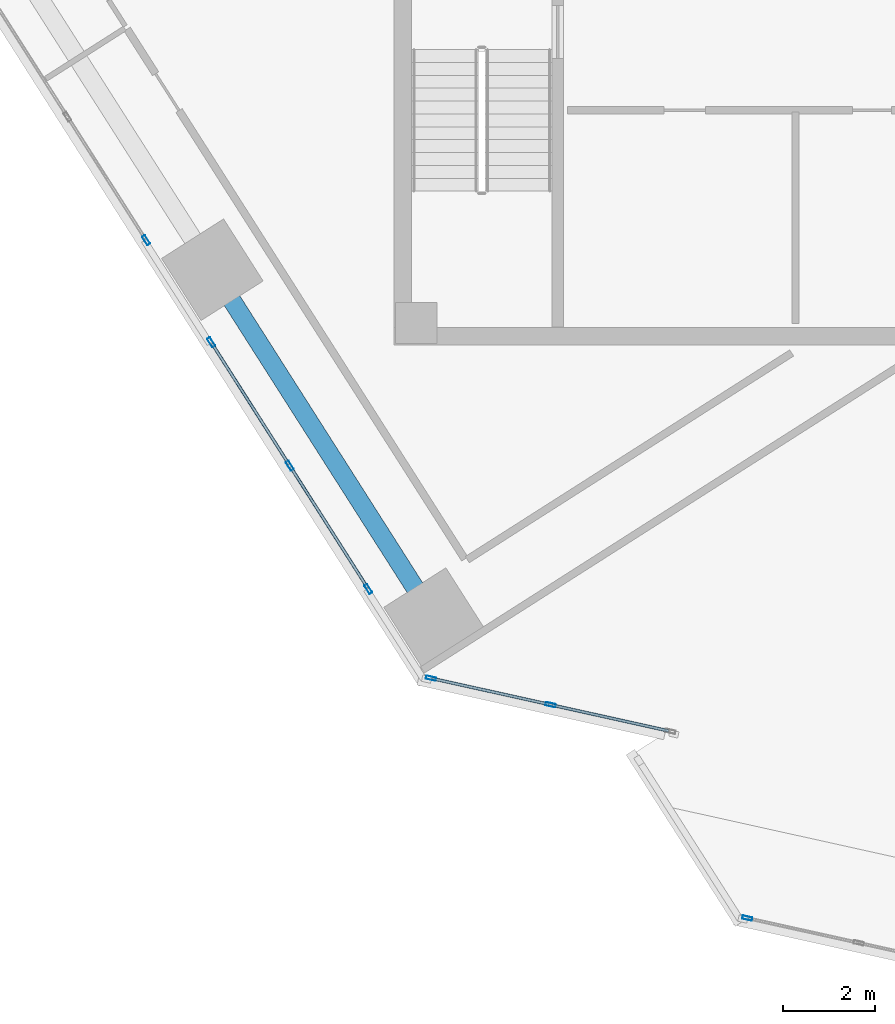
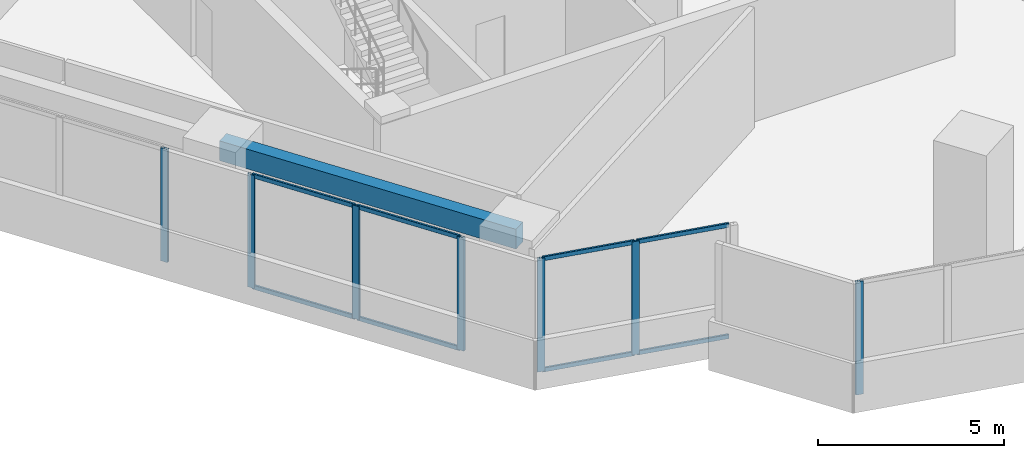
# One storey, part 2 of 14: 15 members, 1 beam, 4 elements without a shape of their own.
"""IFC4 building model written with IfcOpenShell, lengths in metres."""

import ifcopenshell
import ifcopenshell.guid

model = None  # the IFC model being written
_history = None  # IfcOwnerHistory: only IFC2X3 demands one
_inside = {}  # id of a spatial element -> (the spatial element, [elements in it])
_under = {}  # id of a project, library or spatial element -> (it, [spatial elements below it])
_declared = {}  # id of a project -> (the project, [libraries it declares])
_typed = {}  # id of a type object -> (the type object, [elements of that type])
_made_of = {}  # id of a material, layer set ... -> (it, [elements and type objects made of it])


def new_model(schema):
    """Start an empty IFC model of exactly this schema.

    Asked for "IFC4X3", IfcOpenShell would pick the latest addendum, in which some entities
    have other attributes; the version numbers below select the first issue.
    IFC2X3 requires an IfcOwnerHistory on every rooted entity: one is made here for all.
    """
    global model, _history
    if schema == "IFC4X3":
        model = ifcopenshell.file(schema_version=(4, 3, 0, 0))
    else:
        model = ifcopenshell.file(schema=schema)
    _inside.clear()
    _under.clear()
    _declared.clear()
    _typed.clear()
    _made_of.clear()
    _history = None
    if model.schema == "IFC2X3":
        org = make("IfcOrganization", Name="unknown")
        user = make(
            "IfcPersonAndOrganization",
            ThePerson=make("IfcPerson", FamilyName="unknown"),
            TheOrganization=org,
        )
        app = make(
            "IfcApplication",
            ApplicationDeveloper=org,
            Version="unknown",
            ApplicationFullName="unknown",
            ApplicationIdentifier="unknown",
        )
        _history = make(
            "IfcOwnerHistory",
            OwningUser=user,
            OwningApplication=app,
            ChangeAction="ADDED",
            CreationDate=0,
        )
    return model


def make(cls, **values):
    """One entity of the class cls with the attributes given. An attribute that is None is left unset."""
    return model.create_entity(
        cls, **{name: value for name, value in values.items() if value is not None}
    )


def rooted(cls, **values):
    """An entity with a GlobalId (a new one), such as an element, a storey or a relation."""
    return make(cls, GlobalId=ifcopenshell.guid.new(), OwnerHistory=_history, **values)


def si_unit(unit_type, name, prefix=None):
    """IfcSIUnit, for example si_unit("LENGTHUNIT", "METRE", prefix="MILLI")."""
    return make("IfcSIUnit", UnitType=unit_type, Prefix=prefix, Name=name)


def assignment(units):
    """IfcUnitAssignment: the units of a project."""
    return None if units is None else make("IfcUnitAssignment", Units=units)


def point(xyz):
    """IfcCartesianPoint."""
    return None if xyz is None else make("IfcCartesianPoint", Coordinates=xyz)


def direction(xyz):
    """IfcDirection."""
    return None if xyz is None else make("IfcDirection", DirectionRatios=xyz)


def frame(location, z_axis=None, x_axis=None):
    """IfcAxis2Placement3D, a coordinate frame: its origin and axes. An axis left out is left unset."""
    return make(
        "IfcAxis2Placement3D",
        Location=point(location),
        Axis=direction(z_axis),
        RefDirection=direction(x_axis),
    )


def frame_2d(location, x_axis=None):
    """IfcAxis2Placement2D, a coordinate frame in the plane: its origin and x axis."""
    return make(
        "IfcAxis2Placement2D", Location=point(location), RefDirection=direction(x_axis)
    )


def origin():
    """The frame at (0, 0, 0) with its axes left unset."""
    return frame((0.0, 0.0, 0.0))


def origin_2d():
    """The frame at (0, 0) in the plane with its x axis left unset."""
    return frame_2d((0.0, 0.0))


def place(relative_to, where):
    """IfcLocalPlacement: puts the frame where relative to a parent placement (None: the world)."""
    return make(
        "IfcLocalPlacement", PlacementRelTo=relative_to, RelativePlacement=where
    )


def context(
    kind, dimensions, precision=None, world=None, true_north=None, identifier=None
):
    """IfcGeometricRepresentationContext, for example the 3D "Model" context."""
    return make(
        "IfcGeometricRepresentationContext",
        ContextIdentifier=identifier,
        ContextType=kind,
        CoordinateSpaceDimension=dimensions,
        Precision=precision,
        WorldCoordinateSystem=world,
        TrueNorth=true_north,
    )


def subcontext(parent, identifier, kind, view, scale=None):
    """IfcGeometricRepresentationSubContext, for example "Body" below "Model"."""
    return make(
        "IfcGeometricRepresentationSubContext",
        ContextIdentifier=identifier,
        ContextType=kind,
        ParentContext=parent,
        TargetScale=scale,
        TargetView=view,
    )


def project(units=None, contexts=None):
    """IfcProject with its units and contexts."""
    return rooted(
        "IfcProject",
        Name="project",
        RepresentationContexts=contexts,
        UnitsInContext=assignment(units),
    )


def spatial(cls, under=None, at=None, **own):
    """A site, building, storey or space (cls), placed at a placement, below another one or the project."""
    s = rooted(cls, ObjectPlacement=at, **own)
    if under is not None:
        _under.setdefault(under.id(), (under, []))[1].append(s)
    return s


def profile(cls, at=None, kind="AREA", **sizes):
    """A parametric profile (cls). Its sizes go by their IFC names, for example OverallWidth=200.0."""
    return make(cls, ProfileType=kind, Position=at, **sizes)


def rectangle(**sizes):
    """IfcRectangleProfileDef."""
    return profile("IfcRectangleProfileDef", **sizes)


def hollow_rectangle(**sizes):
    """IfcRectangleHollowProfileDef."""
    return profile("IfcRectangleHollowProfileDef", **sizes)


def extrude(swept, where, along, depth):
    """IfcExtrudedAreaSolid: the profile swept, set in the frame where, extruded along a direction by depth."""
    return make(
        "IfcExtrudedAreaSolid",
        SweptArea=swept,
        Position=where,
        ExtrudedDirection=direction(along),
        Depth=depth,
    )


def shape(context_of_items, identifier, shape_type, items):
    """IfcShapeRepresentation: the items that make up one representation, for example the "Body"."""
    return make(
        "IfcShapeRepresentation",
        ContextOfItems=context_of_items,
        RepresentationIdentifier=identifier,
        RepresentationType=shape_type,
        Items=items,
    )


def source(mapping_origin, context_of_items, identifier, shape_type, items):
    """IfcRepresentationMap: a shape defined once, which mapped items show again and again."""
    return make(
        "IfcRepresentationMap",
        MappingOrigin=mapping_origin,
        MappedRepresentation=shape(context_of_items, identifier, shape_type, items),
    )


def transform(
    local_origin,
    x_axis=None,
    y_axis=None,
    z_axis=None,
    scale=None,
    scale2=None,
    scale3=None,
    uniform=True,
):
    """IfcCartesianTransformationOperator3D, or its non-uniform kind. x_axis, y_axis, z_axis: its Axis1, 2, 3."""
    if uniform:
        return make(
            "IfcCartesianTransformationOperator3D",
            Axis1=direction(x_axis),
            Axis2=direction(y_axis),
            LocalOrigin=point(local_origin),
            Scale=scale,
            Axis3=direction(z_axis),
        )
    return make(
        "IfcCartesianTransformationOperator3DnonUniform",
        Axis1=direction(x_axis),
        Axis2=direction(y_axis),
        LocalOrigin=point(local_origin),
        Scale=scale,
        Axis3=direction(z_axis),
        Scale2=scale2,
        Scale3=scale3,
    )


def mapped(mapping_source, mapping_target):
    """IfcMappedItem: shows the shape of a source again, moved by a transform."""
    return make(
        "IfcMappedItem", MappingSource=mapping_source, MappingTarget=mapping_target
    )


def material(Name=None, Category=None):
    """IfcMaterial."""
    return make("IfcMaterial", Name=Name, Category=Category)


def material_profile(
    of_material, cross_section, Name=None, Category=None, Priority=None
):
    """IfcMaterialProfile: a cross section and its material."""
    return make(
        "IfcMaterialProfile",
        Name=Name,
        Material=of_material,
        Profile=cross_section,
        Priority=Priority,
        Category=Category,
    )


def profile_set(profiles, Name=None, composite=None):
    """IfcMaterialProfileSet."""
    return make(
        "IfcMaterialProfileSet",
        Name=Name,
        MaterialProfiles=profiles,
        CompositeProfile=composite,
    )


def made_of(thing, what):
    """Note that an element or type object is made of a material, layer set ...; save() writes the relation."""
    if what is not None:
        _made_of.setdefault(what.id(), (what, []))[1].append(thing)
    return thing


def type_object(cls, material=None, **own):
    """A type object (cls), such as IfcWallType, which elements share."""
    return made_of(rooted(cls, **own), material)


def element(
    cls,
    number,
    at=None,
    inside=None,
    cuts=None,
    type_object=None,
    material=None,
    context=None,
    identifier="Body",
    shape_type=None,
    held_by="IfcProductDefinitionShape",
    body=None,
    shapes=None,
    **own,
):
    """One element of the class cls, such as IfcWall. Its Tag is "e" and its number.

    at: its placement. inside: the storey or other place that contains it. cuts: it is an
    opening in that element (IfcRelVoidsElement). A single representation is given by context,
    identifier, shape_type and body (its items); several are given by shapes. held_by: the class
    of the entity that holds the representations. save() writes the other relations.
    """
    e = rooted(cls, Tag="e%d" % number, ObjectPlacement=at, **own)
    if body is not None:
        shapes = [shape(context, identifier, shape_type, body)]
    if shapes is not None:
        e.Representation = make(held_by, Representations=shapes)
    if inside is not None:
        _inside.setdefault(inside.id(), (inside, []))[1].append(e)
    if cuts is not None:
        rooted(
            "IfcRelVoidsElement", RelatingBuildingElement=cuts, RelatedOpeningElement=e
        )
    if type_object is not None:
        _typed.setdefault(type_object.id(), (type_object, []))[1].append(e)
    return made_of(e, material)


def aggregate(whole, parts):
    """IfcRelAggregates: a whole, such as a stair, and the parts it consists of."""
    return rooted("IfcRelAggregates", RelatingObject=whole, RelatedObjects=parts)


def save(model, path):
    """Write the relations noted so far, then the file.

    IfcRelAggregates (storeys below a building ...), IfcRelContainedInSpatialStructure (elements
    in a storey), IfcRelDefinesByType, IfcRelAssociatesMaterial and IfcRelDeclares: one each for
    every whole, place, type object, material and project.
    """
    for whole, parts in _under.values():
        aggregate(whole, parts)
    for where, things in _inside.values():
        rooted(
            "IfcRelContainedInSpatialStructure",
            RelatedElements=things,
            RelatingStructure=where,
        )
    for kind, things in _typed.values():
        rooted("IfcRelDefinesByType", RelatedObjects=things, RelatingType=kind)
    for what, things in _made_of.values():
        rooted("IfcRelAssociatesMaterial", RelatedObjects=things, RelatingMaterial=what)
    for by, libraries in _declared.values():
        rooted("IfcRelDeclares", RelatingContext=by, RelatedDefinitions=libraries)
    model.write(path)


model = new_model("IFC4")

# Units and contexts
model_context = context("Model", 3, precision=1e-05, world=origin(), true_north=direction((0.0, 1.0)))
body_context = subcontext(model_context, "Body", "Model", "MODEL_VIEW")
ifc_project = project(units=[si_unit("LENGTHUNIT", "METRE"), si_unit("AREAUNIT", "SQUARE_METRE"), si_unit("VOLUMEUNIT", "CUBIC_METRE"), si_unit("PLANEANGLEUNIT", "RADIAN"), si_unit("MASSUNIT", "GRAM", prefix="KILO")], contexts=[model_context])

# Site, building, storey
site_placement = place(None, origin())
site = spatial("IfcSite", under=ifc_project, at=site_placement, CompositionType="ELEMENT")
building_placement = place(site_placement, origin())
building = spatial("IfcBuilding", under=site, at=building_placement, Name="Torre Montelarca", CompositionType="ELEMENT")
storey_placement = place(building_placement, frame((0.0, 0.0, 315.60009765625)))
storey = spatial("IfcBuildingStorey", under=building, at=storey_placement, Name="L71", CompositionType="ELEMENT", Elevation=315.60009765625)

# Beam
ifc_material_1 = material(Name="Concrete C40/50", Category="concrete")
ifc_material_profile_1 = material_profile(ifc_material_1, rectangle(XDim=0.39990234375, YDim=0.64990234375, at=origin_2d()), Name="RCB400X650", Category="concrete")
ifc_profile_set_1 = profile_set([ifc_material_profile_1], Name="Concrete C40/50")
beam_type = type_object("IfcBeamType", Name="BM-SP-RC650-EXT", PredefinedType="SPANDREL", material=ifc_profile_set_1)
shared_shape_1 = source(origin(), body_context, "Body", "SweptSolid", [
    extrude(rectangle(XDim=0.39990234375, YDim=0.64990234375, at=origin_2d()), origin(), (0.0, 0.0, 1.0), 8.999755859375),
])
beam_placement = place(storey_placement, frame((5.113037109375, 25.710205078125, 3.635009765625), z_axis=(0.537308978211, -0.843385476478, 0.0), x_axis=(0.843385476478, 0.537308978211, 0.0)))
element("IfcBeam", 1, at=beam_placement, inside=storey, type_object=beam_type, Name="L71 Grid Girder X 18.0-27.0 at Y=14.8", PredefinedType="SPANDREL", context=body_context, shape_type="MappedRepresentation", body=[
    mapped(shared_shape_1, transform((0.0, 0.0, 0.0), scale=1.0)),
])

# Curtain wall, member
ifc_material_2 = material(Name="Insulated low-E laminated glass", Category="glass")
curtain_wall_type = type_object("IfcCurtainWallType", Name="CW-SYS-Z4", PredefinedType="USERDEFINED", material=ifc_material_2)
curtain_wall_1_placement = place(storey_placement, origin())
curtain_wall_1 = element("IfcCurtainWall", 2, at=curtain_wall_1_placement, inside=storey, type_object=curtain_wall_type, Name="L71 Curtain Wall Run CW-T3-L71-E01-B1", ObjectType="UNITISED GLAZING", PredefinedType="USERDEFINED")
ifc_material_3 = material(Name="Anodised aluminium AA 6063-T6", Category="aluminium")
ifc_material_profile_2 = material_profile(ifc_material_3, hollow_rectangle(XDim=0.074951171875, YDim=0.219970703125, WallThickness=0.0048828125, InnerFilletRadius=0.0048828125, OuterFilletRadius=0.010009765625, at=origin_2d()), Name="ALU75X220X5", Category="aluminium")
ifc_profile_set_2 = profile_set([ifc_material_profile_2], Name="Anodised aluminium AA 6063-T6")
member_type_1 = type_object("IfcMemberType", Name="CWM-ALU220", PredefinedType="MULLION", material=ifc_profile_set_2)
shared_shape_2 = source(origin(), body_context, "Body", "SweptSolid", [
    extrude(hollow_rectangle(XDim=0.074951171875, YDim=0.219970703125, WallThickness=0.0048828125, InnerFilletRadius=0.0048828125, OuterFilletRadius=0.010009765625, at=origin_2d()), origin(), (0.0, 0.0, 1.0), 3.719970703125),
])
member_1_placement = place(storey_placement, frame((3.67138671875, 26.35400390625, 0.0), z_axis=(0.0, 0.0, 1.0), x_axis=(0.843390278763, 0.537301440244, 0.0)))
member_1 = element("IfcMember", 3, at=member_1_placement, type_object=member_type_1, Name="CW mullion 3", PredefinedType="MULLION", context=body_context, shape_type="MappedRepresentation", body=[
    mapped(shared_shape_2, transform((0.0, 0.0, 0.0), scale=1.0)),
])
aggregate(curtain_wall_1, [member_1])

# Curtain wall, members
curtain_wall_2_placement = place(storey_placement, origin())
curtain_wall_2 = element("IfcCurtainWall", 4, at=curtain_wall_2_placement, inside=storey, type_object=curtain_wall_type, Name="L71 Curtain Wall Run CW-T3-L71-E01-B2", ObjectType="UNITISED GLAZING", PredefinedType="USERDEFINED")
member_2_placement = place(storey_placement, frame((5.087158203125, 24.131591796875, 0.0), z_axis=(0.0, 0.0, 1.0), x_axis=(0.843390278763, 0.537301440244, 0.0)))
member_2 = element("IfcMember", 5, at=member_2_placement, type_object=member_type_1, Name="CW mullion 1", PredefinedType="MULLION", context=body_context, shape_type="MappedRepresentation", body=[
    mapped(shared_shape_2, transform((0.0, 0.0, 0.0), scale=1.0)),
])
member_3_placement = place(storey_placement, frame((6.797119140625, 21.447509765625, 0.0), z_axis=(0.0, 0.0, 1.0), x_axis=(0.843390278763, 0.537301440244, 0.0)))
member_3 = element("IfcMember", 6, at=member_3_placement, type_object=member_type_1, Name="CW mullion 2", PredefinedType="MULLION", context=body_context, shape_type="MappedRepresentation", body=[
    mapped(shared_shape_2, transform((0.0, 0.0, 0.0), scale=1.0)),
])
member_4_placement = place(storey_placement, frame((8.507080078125, 18.763427734375, 0.0), z_axis=(0.0, 0.0, 1.0), x_axis=(0.843390278763, 0.537301440244, 0.0)))
member_4 = element("IfcMember", 7, at=member_4_placement, type_object=member_type_1, Name="CW mullion 3", PredefinedType="MULLION", context=body_context, shape_type="MappedRepresentation", body=[
    mapped(shared_shape_2, transform((0.0, 0.0, 0.0), scale=1.0)),
])

curtain_wall_3_placement = place(storey_placement, origin())
curtain_wall_3 = element("IfcCurtainWall", 8, at=curtain_wall_3_placement, inside=storey, type_object=curtain_wall_type, Name="L71 Curtain Wall Run CW-T3-L71-E02-B1", ObjectType="UNITISED GLAZING", PredefinedType="USERDEFINED")
member_5_placement = place(storey_placement, frame((9.869384765625, 16.822021484375, 0.0), z_axis=(0.0, 0.0, 1.0), x_axis=(0.216448974638, 0.976293931856, 0.0)))
member_5 = element("IfcMember", 9, at=member_5_placement, type_object=member_type_1, Name="CW mullion 1", PredefinedType="MULLION", context=body_context, shape_type="MappedRepresentation", body=[
    mapped(shared_shape_2, transform((0.0, 0.0, 0.0), scale=1.0)),
])
member_6_placement = place(storey_placement, frame((12.4736328125, 16.24462890625, 0.0), z_axis=(0.0, 0.0, 1.0), x_axis=(0.216448974638, 0.976293931856, 0.0)))
member_6 = element("IfcMember", 10, at=member_6_placement, type_object=member_type_1, Name="CW mullion 2", PredefinedType="MULLION", context=body_context, shape_type="MappedRepresentation", body=[
    mapped(shared_shape_2, transform((0.0, 0.0, 0.0), scale=1.0)),
])

# Curtain wall, member
curtain_wall_4_placement = place(storey_placement, origin())
curtain_wall_4 = element("IfcCurtainWall", 11, at=curtain_wall_4_placement, inside=storey, type_object=curtain_wall_type, Name="L71 Curtain Wall Run CW-T3-L71-E05-B1", ObjectType="UNITISED GLAZING", PredefinedType="USERDEFINED")
member_7_placement = place(storey_placement, frame((16.751708984375, 11.6025390625, 0.0), z_axis=(0.0, 0.0, 1.0), x_axis=(0.216439080105, 0.976296125468, 0.0)))
member_7 = element("IfcMember", 12, at=member_7_placement, type_object=member_type_1, Name="CW mullion 1", PredefinedType="MULLION", context=body_context, shape_type="MappedRepresentation", body=[
    mapped(shared_shape_2, transform((0.0, 0.0, 0.0), scale=1.0)),
])
aggregate(curtain_wall_4, [member_7])

# Member
ifc_material_profile_3 = material_profile(ifc_material_3, hollow_rectangle(XDim=0.06494140625, YDim=0.139892578125, WallThickness=0.00390625, InnerFilletRadius=0.00390625, OuterFilletRadius=0.008056640625, at=origin_2d()), Name="ALU65X140X4", Category="aluminium")
ifc_profile_set_3 = profile_set([ifc_material_profile_3], Name="Anodised aluminium AA 6063-T6")
member_type_2 = type_object("IfcMemberType", Name="CWT-ALU140", PredefinedType="USERDEFINED", material=ifc_profile_set_3)
shared_shape_3 = source(origin(), body_context, "Body", "SweptSolid", [
    extrude(hollow_rectangle(XDim=0.06494140625, YDim=0.139892578125, WallThickness=0.00390625, InnerFilletRadius=0.00390625, OuterFilletRadius=0.008056640625, at=origin_2d()), origin(), (0.0, 0.0, 1.0), 2.592529296875),
])
member_8_placement = place(storey_placement, frame((9.906005859375, 16.81396484375, 0.032470703125), z_axis=(0.976302147171, -0.216411916099, 0.0), x_axis=(0.216411916099, 0.976302147171, 0.0)))
member_8 = element("IfcMember", 13, at=member_8_placement, type_object=member_type_2, Name="CW transom 1.1", ObjectType="TRANSOM", PredefinedType="USERDEFINED", context=body_context, shape_type="MappedRepresentation", body=[
    mapped(shared_shape_3, transform((0.0, 0.0, 0.0), scale=1.0)),
])

member_9_placement = place(storey_placement, frame((9.906005859375, 16.81396484375, 3.6875), z_axis=(0.976302147171, -0.216411916099, 0.0), x_axis=(0.216411916099, 0.976302147171, 0.0)))
member_9 = element("IfcMember", 14, at=member_9_placement, type_object=member_type_2, Name="CW transom 1.2", ObjectType="TRANSOM", PredefinedType="USERDEFINED", context=body_context, shape_type="MappedRepresentation", body=[
    mapped(shared_shape_3, transform((0.0, 0.0, 0.0), scale=1.0)),
])

member_10_placement = place(storey_placement, frame((12.51025390625, 16.236572265625, 0.032470703125), z_axis=(0.976302147171, -0.216411916099, 0.0), x_axis=(0.216411916099, 0.976302147171, 0.0)))
member_10 = element("IfcMember", 15, at=member_10_placement, type_object=member_type_2, Name="CW transom 2.1", ObjectType="TRANSOM", PredefinedType="USERDEFINED", context=body_context, shape_type="MappedRepresentation", body=[
    mapped(shared_shape_3, transform((0.0, 0.0, 0.0), scale=1.0)),
])

member_11_placement = place(storey_placement, frame((12.51025390625, 16.236572265625, 3.6875), z_axis=(0.976302147171, -0.216411916099, 0.0), x_axis=(0.216411916099, 0.976302147171, 0.0)))
member_11 = element("IfcMember", 16, at=member_11_placement, type_object=member_type_2, Name="CW transom 2.2", ObjectType="TRANSOM", PredefinedType="USERDEFINED", context=body_context, shape_type="MappedRepresentation", body=[
    mapped(shared_shape_3, transform((0.0, 0.0, 0.0), scale=1.0)),
])

aggregate(curtain_wall_3, [member_5, member_6, member_8, member_9, member_10, member_11])

shared_shape_4 = source(origin(), body_context, "Body", "SweptSolid", [
    extrude(hollow_rectangle(XDim=0.06494140625, YDim=0.139892578125, WallThickness=0.00390625, InnerFilletRadius=0.00390625, OuterFilletRadius=0.008056640625, at=origin_2d()), origin(), (0.0, 0.0, 1.0), 3.107421875),
])
member_12_placement = place(storey_placement, frame((5.107421875, 24.10009765625, 0.032470703125), z_axis=(0.537302444451, -0.843389639009, 0.0), x_axis=(0.843389639009, 0.537302444451, 0.0)))
member_12 = element("IfcMember", 17, at=member_12_placement, type_object=member_type_2, Name="CW transom 1.1", ObjectType="TRANSOM", PredefinedType="USERDEFINED", context=body_context, shape_type="MappedRepresentation", body=[
    mapped(shared_shape_4, transform((0.0, 0.0, 0.0), scale=1.0)),
])

member_13_placement = place(storey_placement, frame((5.107421875, 24.10009765625, 3.6875), z_axis=(0.537302444451, -0.843389639009, 0.0), x_axis=(0.843389639009, 0.537302444451, 0.0)))
member_13 = element("IfcMember", 18, at=member_13_placement, type_object=member_type_2, Name="CW transom 1.2", ObjectType="TRANSOM", PredefinedType="USERDEFINED", context=body_context, shape_type="MappedRepresentation", body=[
    mapped(shared_shape_4, transform((0.0, 0.0, 0.0), scale=1.0)),
])

member_14_placement = place(storey_placement, frame((6.8173828125, 21.416015625, 0.032470703125), z_axis=(0.537302444451, -0.843389639009, 0.0), x_axis=(0.843389639009, 0.537302444451, 0.0)))
member_14 = element("IfcMember", 19, at=member_14_placement, type_object=member_type_2, Name="CW transom 2.1", ObjectType="TRANSOM", PredefinedType="USERDEFINED", context=body_context, shape_type="MappedRepresentation", body=[
    mapped(shared_shape_4, transform((0.0, 0.0, 0.0), scale=1.0)),
])

member_15_placement = place(storey_placement, frame((6.8173828125, 21.416015625, 3.6875), z_axis=(0.537302444451, -0.843389639009, 0.0), x_axis=(0.843389639009, 0.537302444451, 0.0)))
member_15 = element("IfcMember", 20, at=member_15_placement, type_object=member_type_2, Name="CW transom 2.2", ObjectType="TRANSOM", PredefinedType="USERDEFINED", context=body_context, shape_type="MappedRepresentation", body=[
    mapped(shared_shape_4, transform((0.0, 0.0, 0.0), scale=1.0)),
])

aggregate(curtain_wall_2, [member_2, member_3, member_4, member_12, member_13, member_14, member_15])

save(model, "model.ifc")
